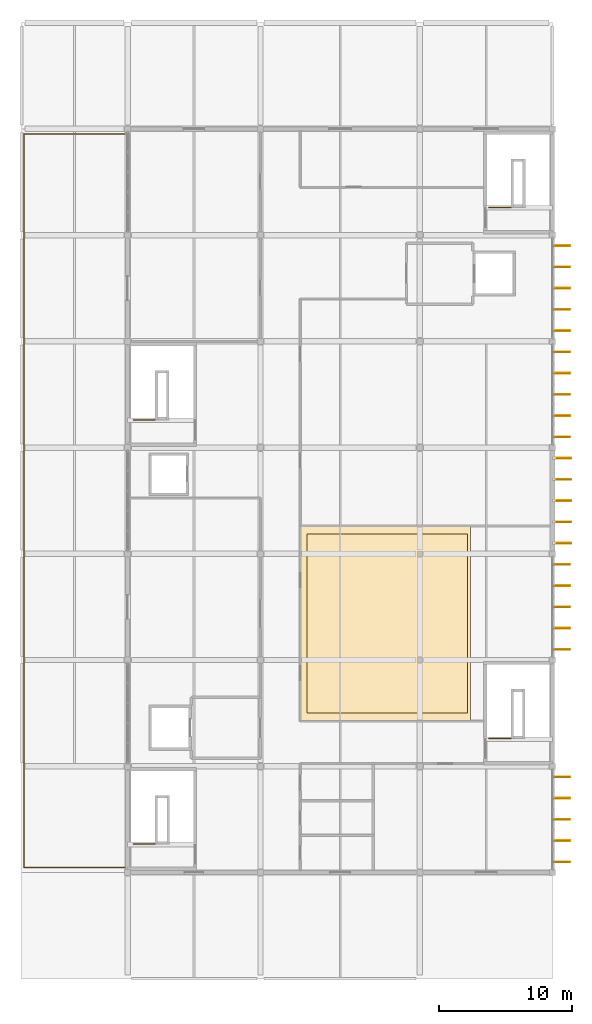
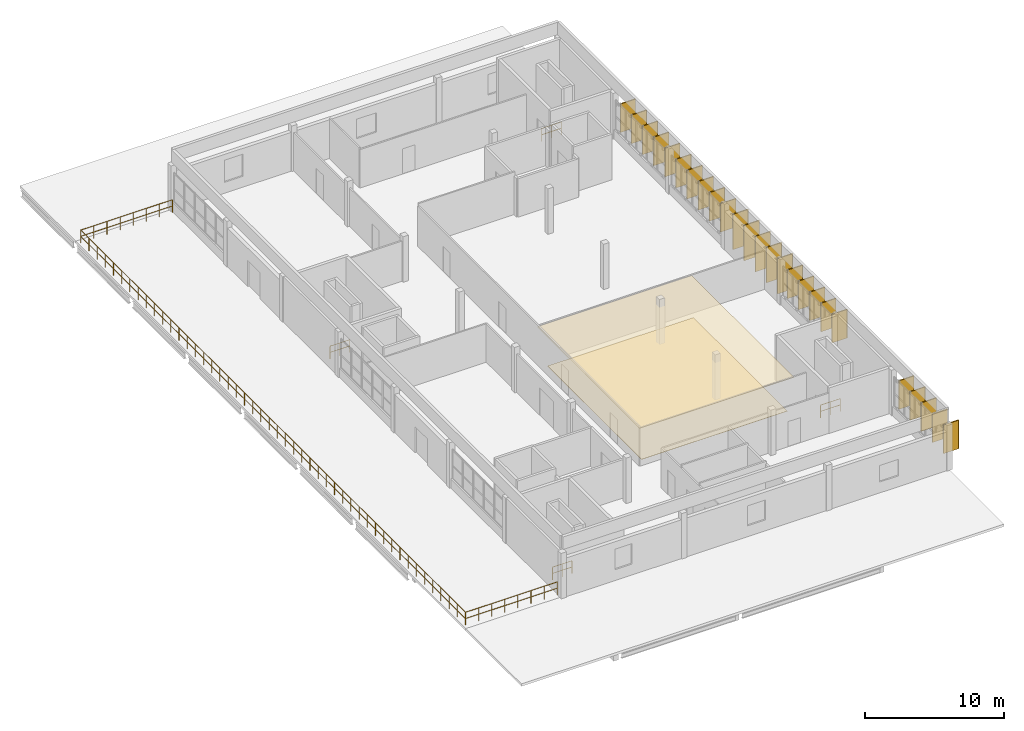
# One storey, part 12 of 12: 27 coverings, 25 shading devices, 7 railings.
"""IFC4 building model written with IfcOpenShell, lengths in metres."""

from ifc_helpers import new_model, si_unit, direction, frame, origin, origin_2d, place, context, subcontext, project, spatial, polyline, rectangle, circle, outline, extrude, material, layer, layer_set, type_object, element, save


model = new_model("IFC4")

# Units and contexts
model_context = context("Model", 3, precision=1e-05, world=origin(), true_north=direction((0.0, 1.0)))
body_context = subcontext(model_context, "Body", "Model", "MODEL_VIEW")
ifc_project = project(units=[si_unit("LENGTHUNIT", "METRE"), si_unit("AREAUNIT", "SQUARE_METRE"), si_unit("VOLUMEUNIT", "CUBIC_METRE"), si_unit("PLANEANGLEUNIT", "RADIAN"), si_unit("MASSUNIT", "GRAM", prefix="KILO")], contexts=[model_context])

# Site, building, storey
site_placement = place(None, origin())
site = spatial("IfcSite", under=ifc_project, at=site_placement, CompositionType="ELEMENT")
building_placement = place(site_placement, origin())
building = spatial("IfcBuilding", under=site, at=building_placement, Name="Drelvana Railside Aquatics Centre", CompositionType="ELEMENT")
storey_placement = place(building_placement, frame((0.0, 0.0, 18.60009765625)))
storey = spatial("IfcBuildingStorey", under=building, at=storey_placement, Name="L04", CompositionType="ELEMENT", Elevation=18.60009765625)

# Coverings
ifc_material_1 = material(Name="Moisture-resistant perforated acoustic timber ceiling", Category="wood")
ifc_layer_1 = layer(ifc_material_1, 0.034912109375, Name="Moisture-resistant perforated acoustic timber ceiling")
ifc_layer_set_1 = layer_set([ifc_layer_1], Name="Moisture-resistant perforated acoustic timber ceiling")
covering_type_1 = type_object("IfcCoveringType", Name="COV-CEIL-ACOUSTIC", PredefinedType="CEILING", material=ifc_layer_set_1)
covering_1_placement = place(storey_placement, frame((0.0, 0.0, 3.25)))
element("IfcCovering", 1, at=covering_1_placement, inside=storey, type_object=covering_type_1, Name="National Aquatics Boardroom coffered ceiling", PredefinedType="CEILING", context=body_context, shape_type="SweptSolid", body=[
    extrude(outline(polyline([(165.0, 35.39990234375), (177.800048828125, 35.39990234375), (177.800048828125, 50.10009765625), (165.0, 50.10009765625), (165.0, 35.39990234375)])), origin(), (0.0, 0.0, 1.0), 0.034912109375),
])
ifc_material_2 = material(Name="Bronze-anodised extruded aluminium 6063-T6", Category="aluminium")
covering_type_2 = type_object("IfcCoveringType", Name="COV-FIN-ALU", PredefinedType="CLADDING", material=ifc_material_2)
for number, where, z_axis, x_axis, name in (
    (2, (184.669921875, 24.800048828125, 0.849853515625), (0.0, 0.0, 1.0), (0.0, -1.0, 0.0), "Vertical aluminium fin cladding CF-0696"),
    (3, (184.669921875, 26.39990234375, 0.849853515625), (0.0, 0.0, 1.0), (0.0, -1.0, 0.0), "Vertical aluminium fin cladding CF-0697"),
    (4, (184.669921875, 28.0, 0.849853515625), (0.0, 0.0, 1.0), (0.0, -1.0, 0.0), "Vertical aluminium fin cladding CF-0698"),
    (5, (184.669921875, 29.60009765625, 0.849853515625), (0.0, 0.0, 1.0), (0.0, -1.0, 0.0), "Vertical aluminium fin cladding CF-0699"),
    (6, (184.669921875, 31.199951171875, 0.849853515625), (0.0, 0.0, 1.0), (0.0, -1.0, 0.0), "Vertical aluminium fin cladding CF-0700"),
    (7, (184.669921875, 40.800048828125, 0.849853515625), (0.0, 0.0, 1.0), (0.0, -1.0, 0.0), "Vertical aluminium fin cladding CF-0721"),
    (8, (184.669921875, 42.39990234375, 0.849853515625), (0.0, 0.0, 1.0), (0.0, -1.0, 0.0), "Vertical aluminium fin cladding CF-0722"),
    (9, (184.669921875, 44.0, 0.849853515625), (0.0, 0.0, 1.0), (0.0, -1.0, 0.0), "Vertical aluminium fin cladding CF-0723"),
    (10, (184.669921875, 45.60009765625, 0.849853515625), (0.0, 0.0, 1.0), (0.0, -1.0, 0.0), "Vertical aluminium fin cladding CF-0724"),
    (11, (184.669921875, 47.199951171875, 0.849853515625), (0.0, 0.0, 1.0), (0.0, -1.0, 0.0), "Vertical aluminium fin cladding CF-0725"),
):
    element("IfcCovering", number, at=place(storey_placement, frame(where, z_axis=z_axis, x_axis=x_axis)), inside=storey, type_object=covering_type_2, Name=name, PredefinedType="CLADDING", context=body_context, shape_type="SweptSolid", body=[
        extrude(rectangle(XDim=0.0849609375, YDim=1.25, at=origin_2d()), origin(), (0.0, 0.0, 1.0), 2.5),
    ])
for number, where, z_axis, x_axis, name in (
    (12, (184.77490234375, 48.800048828125, 0.249755859375), (0.0, 0.0, 1.0), (0.0, -1.0, 0.0), "Vertical aluminium fin cladding CF-0746"),
    (13, (184.77490234375, 50.39990234375, 0.249755859375), (0.0, 0.0, 1.0), (0.0, -1.0, 0.0), "Vertical aluminium fin cladding CF-0747"),
    (14, (184.77490234375, 52.0, 0.249755859375), (0.0, 0.0, 1.0), (0.0, -1.0, 0.0), "Vertical aluminium fin cladding CF-0748"),
    (15, (184.77490234375, 53.60009765625, 0.249755859375), (0.0, 0.0, 1.0), (0.0, -1.0, 0.0), "Vertical aluminium fin cladding CF-0749"),
    (16, (184.77490234375, 55.199951171875, 0.249755859375), (0.0, 0.0, 1.0), (0.0, -1.0, 0.0), "Vertical aluminium fin cladding CF-0750"),
):
    element("IfcCovering", number, at=place(storey_placement, frame(where, z_axis=z_axis, x_axis=x_axis)), inside=storey, type_object=covering_type_2, Name=name, PredefinedType="CLADDING", context=body_context, shape_type="SweptSolid", body=[
        extrude(rectangle(XDim=0.0849609375, YDim=1.25, at=origin_2d()), origin(), (0.0, 0.0, 1.0), 3.10009765625),
    ])
for number, where, z_axis, x_axis, name in (
    (17, (184.669921875, 56.800048828125, 0.849853515625), (0.0, 0.0, 1.0), (0.0, -1.0, 0.0), "Vertical aluminium fin cladding CF-0771"),
    (18, (184.669921875, 58.39990234375, 0.849853515625), (0.0, 0.0, 1.0), (0.0, -1.0, 0.0), "Vertical aluminium fin cladding CF-0772"),
    (19, (184.669921875, 60.0, 0.849853515625), (0.0, 0.0, 1.0), (0.0, -1.0, 0.0), "Vertical aluminium fin cladding CF-0773"),
    (20, (184.669921875, 61.60009765625, 0.849853515625), (0.0, 0.0, 1.0), (0.0, -1.0, 0.0), "Vertical aluminium fin cladding CF-0774"),
    (21, (184.669921875, 63.199951171875, 0.849853515625), (0.0, 0.0, 1.0), (0.0, -1.0, 0.0), "Vertical aluminium fin cladding CF-0775"),
    (22, (184.669921875, 64.800048828125, 0.849853515625), (0.0, 0.0, 1.0), (0.0, -1.0, 0.0), "Vertical aluminium fin cladding CF-0796"),
    (23, (184.669921875, 66.39990234375, 0.849853515625), (0.0, 0.0, 1.0), (0.0, -1.0, 0.0), "Vertical aluminium fin cladding CF-0797"),
    (24, (184.669921875, 68.0, 0.849853515625), (0.0, 0.0, 1.0), (0.0, -1.0, 0.0), "Vertical aluminium fin cladding CF-0798"),
    (25, (184.669921875, 69.60009765625, 0.849853515625), (0.0, 0.0, 1.0), (0.0, -1.0, 0.0), "Vertical aluminium fin cladding CF-0799"),
    (26, (184.669921875, 71.199951171875, 0.849853515625), (0.0, 0.0, 1.0), (0.0, -1.0, 0.0), "Vertical aluminium fin cladding CF-0800"),
):
    element("IfcCovering", number, at=place(storey_placement, frame(where, z_axis=z_axis, x_axis=x_axis)), inside=storey, type_object=covering_type_2, Name=name, PredefinedType="CLADDING", context=body_context, shape_type="SweptSolid", body=[
        extrude(rectangle(XDim=0.0849609375, YDim=1.25, at=origin_2d()), origin(), (0.0, 0.0, 1.0), 2.5),
    ])
ifc_material_3 = material(Name="Slip-resistant vitrified ceramic pool deck tile", Category="masonry")
ifc_layer_2 = layer(ifc_material_3, 0.02490234375, Name="Slip-resistant vitrified ceramic pool deck tile")
ifc_layer_set_2 = layer_set([ifc_layer_2], Name="Slip-resistant vitrified ceramic pool deck tile")
covering_type_3 = type_object("IfcCoveringType", Name="COV-FLOR-ANTISLIP", PredefinedType="FLOORING", material=ifc_layer_set_2)
covering_2_placement = place(storey_placement, origin())
element("IfcCovering", 27, at=covering_2_placement, inside=storey, type_object=covering_type_3, Name="Boardroom hardwood parquet flooring", PredefinedType="FLOORING", context=body_context, shape_type="SweptSolid", body=[
    extrude(outline(polyline([(165.5, 36.0), (177.60009765625, 36.0), (177.60009765625, 49.5), (165.5, 49.5), (165.5, 36.0)])), origin(), (0.0, 0.0, 1.0), 0.02490234375),
])

# Railings
ifc_material_4 = material(Name="Bronze-anodised stainless steel balustrade", Category="steel")
railing_type_1 = type_object("IfcRailingType", Name="RAL-GUARD-TER-1100", PredefinedType="GUARDRAIL", material=ifc_material_4)
railing_placement = place(storey_placement, frame((144.199951171875, 24.3798828125, 0.0)))
element("IfcRailing", 28, at=railing_placement, inside=storey, type_object=railing_type_1, Name="L04 terrace perimeter guard rail 12", PredefinedType="GUARDRAIL", context=body_context, shape_type="SweptSolid", body=[
    extrude(circle(Radius=0.02392578125, at=origin_2d()), frame((0.0, 0.0, 1.1259765625), z_axis=(0.0, 1.0, 0.0), x_axis=(-1.0, 0.0, 0.0)), (0.0, 0.0, 1.0), 55.240234375),
    extrude(circle(Radius=0.02392578125, at=origin_2d()), frame((0.0, 0.0, 0.574951171875), z_axis=(0.0, 1.0, 0.0), x_axis=(-1.0, 0.0, 0.0)), (0.0, 0.0, 1.0), 55.240234375),
    extrude(circle(Radius=0.02099609375, at=origin_2d()), origin(), (0.0, 0.0, 1.0), 1.101806640625),
    extrude(circle(Radius=0.02099609375, at=origin_2d()), frame((0.0, 1.17529296875, 0.0)), (0.0, 0.0, 1.0), 1.101806640625),
    extrude(circle(Radius=0.02099609375, at=origin_2d()), frame((0.0, 2.3505859375, 0.0)), (0.0, 0.0, 1.0), 1.101806640625),
    extrude(circle(Radius=0.02099609375, at=origin_2d()), frame((0.0, 3.52587890625, 0.0)), (0.0, 0.0, 1.0), 1.101806640625),
    extrude(circle(Radius=0.02099609375, at=origin_2d()), frame((0.0, 4.701416015625, 0.0)), (0.0, 0.0, 1.0), 1.101806640625),
    extrude(circle(Radius=0.02099609375, at=origin_2d()), frame((0.0, 5.876708984375, 0.0)), (0.0, 0.0, 1.0), 1.101806640625),
    extrude(circle(Radius=0.02099609375, at=origin_2d()), frame((0.0, 7.052001953125, 0.0)), (0.0, 0.0, 1.0), 1.101806640625),
    extrude(circle(Radius=0.02099609375, at=origin_2d()), frame((0.0, 8.227294921875, 0.0)), (0.0, 0.0, 1.0), 1.101806640625),
    extrude(circle(Radius=0.02099609375, at=origin_2d()), frame((0.0, 9.402587890625, 0.0)), (0.0, 0.0, 1.0), 1.101806640625),
    extrude(circle(Radius=0.02099609375, at=origin_2d()), frame((0.0, 10.577880859375, 0.0)), (0.0, 0.0, 1.0), 1.101806640625),
    extrude(circle(Radius=0.02099609375, at=origin_2d()), frame((0.0, 11.753173828125, 0.0)), (0.0, 0.0, 1.0), 1.101806640625),
    extrude(circle(Radius=0.02099609375, at=origin_2d()), frame((0.0, 12.928466796875, 0.0)), (0.0, 0.0, 1.0), 1.101806640625),
    extrude(circle(Radius=0.02099609375, at=origin_2d()), frame((0.0, 14.10400390625, 0.0)), (0.0, 0.0, 1.0), 1.101806640625),
    extrude(circle(Radius=0.02099609375, at=origin_2d()), frame((0.0, 15.279296875, 0.0)), (0.0, 0.0, 1.0), 1.101806640625),
    extrude(circle(Radius=0.02099609375, at=origin_2d()), frame((0.0, 16.45458984375, 0.0)), (0.0, 0.0, 1.0), 1.101806640625),
    extrude(circle(Radius=0.02099609375, at=origin_2d()), frame((0.0, 17.6298828125, 0.0)), (0.0, 0.0, 1.0), 1.101806640625),
    extrude(circle(Radius=0.02099609375, at=origin_2d()), frame((0.0, 18.80517578125, 0.0)), (0.0, 0.0, 1.0), 1.101806640625),
    extrude(circle(Radius=0.02099609375, at=origin_2d()), frame((0.0, 19.98046875, 0.0)), (0.0, 0.0, 1.0), 1.101806640625),
    extrude(circle(Radius=0.02099609375, at=origin_2d()), frame((0.0, 21.15576171875, 0.0)), (0.0, 0.0, 1.0), 1.101806640625),
    extrude(circle(Radius=0.02099609375, at=origin_2d()), frame((0.0, 22.3310546875, 0.0)), (0.0, 0.0, 1.0), 1.101806640625),
    extrude(circle(Radius=0.02099609375, at=origin_2d()), frame((0.0, 23.506591796875, 0.0)), (0.0, 0.0, 1.0), 1.101806640625),
    extrude(circle(Radius=0.02099609375, at=origin_2d()), frame((0.0, 24.681884765625, 0.0)), (0.0, 0.0, 1.0), 1.101806640625),
    extrude(circle(Radius=0.02099609375, at=origin_2d()), frame((0.0, 25.857177734375, 0.0)), (0.0, 0.0, 1.0), 1.101806640625),
    extrude(circle(Radius=0.02099609375, at=origin_2d()), frame((0.0, 27.032470703125, 0.0)), (0.0, 0.0, 1.0), 1.101806640625),
    extrude(circle(Radius=0.02099609375, at=origin_2d()), frame((0.0, 28.207763671875, 0.0)), (0.0, 0.0, 1.0), 1.101806640625),
    extrude(circle(Radius=0.02099609375, at=origin_2d()), frame((0.0, 29.383056640625, 0.0)), (0.0, 0.0, 1.0), 1.101806640625),
    extrude(circle(Radius=0.02099609375, at=origin_2d()), frame((0.0, 30.558349609375, 0.0)), (0.0, 0.0, 1.0), 1.101806640625),
    extrude(circle(Radius=0.02099609375, at=origin_2d()), frame((0.0, 31.733642578125, 0.0)), (0.0, 0.0, 1.0), 1.101806640625),
    extrude(circle(Radius=0.02099609375, at=origin_2d()), frame((0.0, 32.9091796875, 0.0)), (0.0, 0.0, 1.0), 1.101806640625),
    extrude(circle(Radius=0.02099609375, at=origin_2d()), frame((0.0, 34.08447265625, 0.0)), (0.0, 0.0, 1.0), 1.101806640625),
    extrude(circle(Radius=0.02099609375, at=origin_2d()), frame((0.0, 35.259765625, 0.0)), (0.0, 0.0, 1.0), 1.101806640625),
    extrude(circle(Radius=0.02099609375, at=origin_2d()), frame((0.0, 36.43505859375, 0.0)), (0.0, 0.0, 1.0), 1.101806640625),
    extrude(circle(Radius=0.02099609375, at=origin_2d()), frame((0.0, 37.6103515625, 0.0)), (0.0, 0.0, 1.0), 1.101806640625),
    extrude(circle(Radius=0.02099609375, at=origin_2d()), frame((0.0, 38.78564453125, 0.0)), (0.0, 0.0, 1.0), 1.101806640625),
    extrude(circle(Radius=0.02099609375, at=origin_2d()), frame((0.0, 39.9609375, 0.0)), (0.0, 0.0, 1.0), 1.101806640625),
    extrude(circle(Radius=0.02099609375, at=origin_2d()), frame((0.0, 41.13623046875, 0.0)), (0.0, 0.0, 1.0), 1.101806640625),
    extrude(circle(Radius=0.02099609375, at=origin_2d()), frame((0.0, 42.311767578125, 0.0)), (0.0, 0.0, 1.0), 1.101806640625),
    extrude(circle(Radius=0.02099609375, at=origin_2d()), frame((0.0, 43.487060546875, 0.0)), (0.0, 0.0, 1.0), 1.101806640625),
    extrude(circle(Radius=0.02099609375, at=origin_2d()), frame((0.0, 44.662353515625, 0.0)), (0.0, 0.0, 1.0), 1.101806640625),
    extrude(circle(Radius=0.02099609375, at=origin_2d()), frame((0.0, 45.837646484375, 0.0)), (0.0, 0.0, 1.0), 1.101806640625),
    extrude(circle(Radius=0.02099609375, at=origin_2d()), frame((0.0, 47.012939453125, 0.0)), (0.0, 0.0, 1.0), 1.101806640625),
    extrude(circle(Radius=0.02099609375, at=origin_2d()), frame((0.0, 48.188232421875, 0.0)), (0.0, 0.0, 1.0), 1.101806640625),
    extrude(circle(Radius=0.02099609375, at=origin_2d()), frame((0.0, 49.363525390625, 0.0)), (0.0, 0.0, 1.0), 1.101806640625),
    extrude(circle(Radius=0.02099609375, at=origin_2d()), frame((0.0, 50.538818359375, 0.0)), (0.0, 0.0, 1.0), 1.101806640625),
    extrude(circle(Radius=0.02099609375, at=origin_2d()), frame((0.0, 51.71435546875, 0.0)), (0.0, 0.0, 1.0), 1.101806640625),
    extrude(circle(Radius=0.02099609375, at=origin_2d()), frame((0.0, 52.8896484375, 0.0)), (0.0, 0.0, 1.0), 1.101806640625),
    extrude(circle(Radius=0.02099609375, at=origin_2d()), frame((0.0, 54.06494140625, 0.0)), (0.0, 0.0, 1.0), 1.101806640625),
    extrude(circle(Radius=0.02099609375, at=origin_2d()), frame((0.0, 55.240234375, 0.0)), (0.0, 0.0, 1.0), 1.101806640625),
])
for number, where, name in (
    (29, (144.199951171875, 24.3798828125, 0.0), "L04 terrace perimeter guard rail 13"),
    (30, (144.199951171875, 79.6201171875, 0.0), "L04 terrace perimeter guard rail 14"),
):
    element("IfcRailing", number, at=place(storey_placement, frame(where)), inside=storey, type_object=railing_type_1, Name=name, PredefinedType="GUARDRAIL", context=body_context, shape_type="SweptSolid", body=[
        extrude(circle(Radius=0.02392578125, at=origin_2d()), frame((0.0, 0.0, 1.1259765625), z_axis=(1.0, 0.0, 0.0), x_axis=(0.0, 1.0, 0.0)), (0.0, 0.0, 1.0), 7.60009765625),
        extrude(circle(Radius=0.02392578125, at=origin_2d()), frame((0.0, 0.0, 0.574951171875), z_axis=(1.0, 0.0, 0.0), x_axis=(0.0, 1.0, 0.0)), (0.0, 0.0, 1.0), 7.60009765625),
        extrude(circle(Radius=0.02099609375, at=origin_2d()), origin(), (0.0, 0.0, 1.0), 1.101806640625),
        extrude(circle(Radius=0.02099609375, at=origin_2d()), frame((1.085693359375, 0.0, 0.0)), (0.0, 0.0, 1.0), 1.101806640625),
        extrude(circle(Radius=0.02099609375, at=origin_2d()), frame((2.17138671875, 0.0, 0.0)), (0.0, 0.0, 1.0), 1.101806640625),
        extrude(circle(Radius=0.02099609375, at=origin_2d()), frame((3.257080078125, 0.0, 0.0)), (0.0, 0.0, 1.0), 1.101806640625),
        extrude(circle(Radius=0.02099609375, at=origin_2d()), frame((4.343017578125, 0.0, 0.0)), (0.0, 0.0, 1.0), 1.101806640625),
        extrude(circle(Radius=0.02099609375, at=origin_2d()), frame((5.4287109375, 0.0, 0.0)), (0.0, 0.0, 1.0), 1.101806640625),
        extrude(circle(Radius=0.02099609375, at=origin_2d()), frame((6.514404296875, 0.0, 0.0)), (0.0, 0.0, 1.0), 1.101806640625),
        extrude(circle(Radius=0.02099609375, at=origin_2d()), frame((7.60009765625, 0.0, 0.0)), (0.0, 0.0, 1.0), 1.101806640625),
    ])
ifc_material_5 = material(Name="Brushed stainless steel stairwell guard", Category="steel")
railing_type_2 = type_object("IfcRailingType", Name="RAL-STAIR-1150", PredefinedType="GUARDRAIL", material=ifc_material_5)
for number, where, name in (
    (31, (152.429931640625, 26.14990234375, 0.0), "Stair ST-06 top landing guard"),
    (32, (179.22998046875, 74.090087890625, 0.0), "Stair ST-07 top landing guard"),
):
    element("IfcRailing", number, at=place(storey_placement, frame(where)), inside=storey, type_object=railing_type_2, Name=name, PredefinedType="GUARDRAIL", context=body_context, shape_type="SweptSolid", body=[
        extrude(circle(Radius=0.02392578125, at=origin_2d()), frame((0.0, 0.0, 1.1259765625), z_axis=(1.0, 0.0, 0.0), x_axis=(0.0, 1.0, 0.0)), (0.0, 0.0, 1.0), 1.6201171875),
        extrude(circle(Radius=0.02392578125, at=origin_2d()), frame((0.0, 0.0, 0.574951171875), z_axis=(1.0, 0.0, 0.0), x_axis=(0.0, 1.0, 0.0)), (0.0, 0.0, 1.0), 1.6201171875),
        extrude(circle(Radius=0.02099609375, at=origin_2d()), origin(), (0.0, 0.0, 1.0), 1.101806640625),
        extrude(circle(Radius=0.02099609375, at=origin_2d()), frame((0.81005859375, 0.0, 0.0)), (0.0, 0.0, 1.0), 1.101806640625),
        extrude(circle(Radius=0.02099609375, at=origin_2d()), frame((1.6201171875, 0.0, 0.0)), (0.0, 0.0, 1.0), 1.101806640625),
    ])
for number, where, name in (
    (33, (152.429931640625, 58.090087890625, 0.0), "Stair ST-08 top landing guard"),
    (34, (179.22998046875, 34.090087890625, 0.0), "Stair ST-09 top landing guard"),
):
    element("IfcRailing", number, at=place(storey_placement, frame(where)), inside=storey, type_object=railing_type_2, Name=name, PredefinedType="GUARDRAIL", context=body_context, shape_type="SweptSolid", body=[
        extrude(circle(Radius=0.02392578125, at=origin_2d()), frame((0.0, 0.0, 1.1259765625), z_axis=(1.0, 0.0, 0.0), x_axis=(0.0, 1.0, 0.0)), (0.0, 0.0, 1.0), 1.64013671875),
        extrude(circle(Radius=0.02392578125, at=origin_2d()), frame((0.0, 0.0, 0.574951171875), z_axis=(1.0, 0.0, 0.0), x_axis=(0.0, 1.0, 0.0)), (0.0, 0.0, 1.0), 1.64013671875),
        extrude(circle(Radius=0.02099609375, at=origin_2d()), origin(), (0.0, 0.0, 1.0), 1.101806640625),
        extrude(circle(Radius=0.02099609375, at=origin_2d()), frame((0.820068359375, 0.0, 0.0)), (0.0, 0.0, 1.0), 1.101806640625),
        extrude(circle(Radius=0.02099609375, at=origin_2d()), frame((1.64013671875, 0.0, 0.0)), (0.0, 0.0, 1.0), 1.101806640625),
    ])

# Shading devices
shading_device_type = type_object("IfcShadingDeviceType", Name="SHD-FIN-1250", PredefinedType="USERDEFINED", material=ifc_material_2)
for number, where, z_axis, x_axis, name in (
    (35, (184.68994140625, 24.800048828125, 0.849853515625), (0.0, 0.0, 1.0), (1.0, 0.0, 0.0), "Vertical bronze shading fin FN-0703"),
    (36, (184.68994140625, 26.39990234375, 0.849853515625), (0.0, 0.0, 1.0), (1.0, 0.0, 0.0), "Vertical bronze shading fin FN-0704"),
    (37, (184.68994140625, 28.0, 0.849853515625), (0.0, 0.0, 1.0), (1.0, 0.0, 0.0), "Vertical bronze shading fin FN-0705"),
    (38, (184.68994140625, 29.60009765625, 0.849853515625), (0.0, 0.0, 1.0), (1.0, 0.0, 0.0), "Vertical bronze shading fin FN-0706"),
    (39, (184.68994140625, 31.199951171875, 0.849853515625), (0.0, 0.0, 1.0), (1.0, 0.0, 0.0), "Vertical bronze shading fin FN-0707"),
    (40, (184.68994140625, 40.800048828125, 0.849853515625), (0.0, 0.0, 1.0), (1.0, 0.0, 0.0), "Vertical bronze shading fin FN-0728"),
    (41, (184.68994140625, 42.39990234375, 0.849853515625), (0.0, 0.0, 1.0), (1.0, 0.0, 0.0), "Vertical bronze shading fin FN-0729"),
    (42, (184.68994140625, 44.0, 0.849853515625), (0.0, 0.0, 1.0), (1.0, 0.0, 0.0), "Vertical bronze shading fin FN-0730"),
    (43, (184.68994140625, 45.60009765625, 0.849853515625), (0.0, 0.0, 1.0), (1.0, 0.0, 0.0), "Vertical bronze shading fin FN-0731"),
    (44, (184.68994140625, 47.199951171875, 0.849853515625), (0.0, 0.0, 1.0), (1.0, 0.0, 0.0), "Vertical bronze shading fin FN-0732"),
):
    element("IfcShadingDevice", number, at=place(storey_placement, frame(where, z_axis=z_axis, x_axis=x_axis)), inside=storey, type_object=shading_device_type, Name=name, ObjectType="FIN", PredefinedType="USERDEFINED", context=body_context, shape_type="SweptSolid", body=[
        extrude(rectangle(XDim=1.25, YDim=0.06494140625, at=origin_2d()), origin(), (0.0, 0.0, 1.0), 2.5),
    ])
for number, where, z_axis, x_axis, name in (
    (45, (184.794921875, 48.800048828125, 0.249755859375), (0.0, 0.0, 1.0), (1.0, 0.0, 0.0), "Vertical bronze shading fin FN-0753"),
    (46, (184.794921875, 50.39990234375, 0.249755859375), (0.0, 0.0, 1.0), (1.0, 0.0, 0.0), "Vertical bronze shading fin FN-0754"),
    (47, (184.794921875, 52.0, 0.249755859375), (0.0, 0.0, 1.0), (1.0, 0.0, 0.0), "Vertical bronze shading fin FN-0755"),
    (48, (184.794921875, 53.60009765625, 0.249755859375), (0.0, 0.0, 1.0), (1.0, 0.0, 0.0), "Vertical bronze shading fin FN-0756"),
    (49, (184.794921875, 55.199951171875, 0.249755859375), (0.0, 0.0, 1.0), (1.0, 0.0, 0.0), "Vertical bronze shading fin FN-0757"),
):
    element("IfcShadingDevice", number, at=place(storey_placement, frame(where, z_axis=z_axis, x_axis=x_axis)), inside=storey, type_object=shading_device_type, Name=name, ObjectType="FIN", PredefinedType="USERDEFINED", context=body_context, shape_type="SweptSolid", body=[
        extrude(rectangle(XDim=1.25, YDim=0.06494140625, at=origin_2d()), origin(), (0.0, 0.0, 1.0), 3.10009765625),
    ])
for number, where, z_axis, x_axis, name in (
    (50, (184.68994140625, 56.800048828125, 0.849853515625), (0.0, 0.0, 1.0), (1.0, 0.0, 0.0), "Vertical bronze shading fin FN-0778"),
    (51, (184.68994140625, 58.39990234375, 0.849853515625), (0.0, 0.0, 1.0), (1.0, 0.0, 0.0), "Vertical bronze shading fin FN-0779"),
    (52, (184.68994140625, 60.0, 0.849853515625), (0.0, 0.0, 1.0), (1.0, 0.0, 0.0), "Vertical bronze shading fin FN-0780"),
    (53, (184.68994140625, 61.60009765625, 0.849853515625), (0.0, 0.0, 1.0), (1.0, 0.0, 0.0), "Vertical bronze shading fin FN-0781"),
    (54, (184.68994140625, 63.199951171875, 0.849853515625), (0.0, 0.0, 1.0), (1.0, 0.0, 0.0), "Vertical bronze shading fin FN-0782"),
    (55, (184.68994140625, 64.800048828125, 0.849853515625), (0.0, 0.0, 1.0), (1.0, 0.0, 0.0), "Vertical bronze shading fin FN-0803"),
    (56, (184.68994140625, 66.39990234375, 0.849853515625), (0.0, 0.0, 1.0), (1.0, 0.0, 0.0), "Vertical bronze shading fin FN-0804"),
    (57, (184.68994140625, 68.0, 0.849853515625), (0.0, 0.0, 1.0), (1.0, 0.0, 0.0), "Vertical bronze shading fin FN-0805"),
    (58, (184.68994140625, 69.60009765625, 0.849853515625), (0.0, 0.0, 1.0), (1.0, 0.0, 0.0), "Vertical bronze shading fin FN-0806"),
    (59, (184.68994140625, 71.199951171875, 0.849853515625), (0.0, 0.0, 1.0), (1.0, 0.0, 0.0), "Vertical bronze shading fin FN-0807"),
):
    element("IfcShadingDevice", number, at=place(storey_placement, frame(where, z_axis=z_axis, x_axis=x_axis)), inside=storey, type_object=shading_device_type, Name=name, ObjectType="FIN", PredefinedType="USERDEFINED", context=body_context, shape_type="SweptSolid", body=[
        extrude(rectangle(XDim=1.25, YDim=0.06494140625, at=origin_2d()), origin(), (0.0, 0.0, 1.0), 2.5),
    ])

save(model, "model.ifc")
